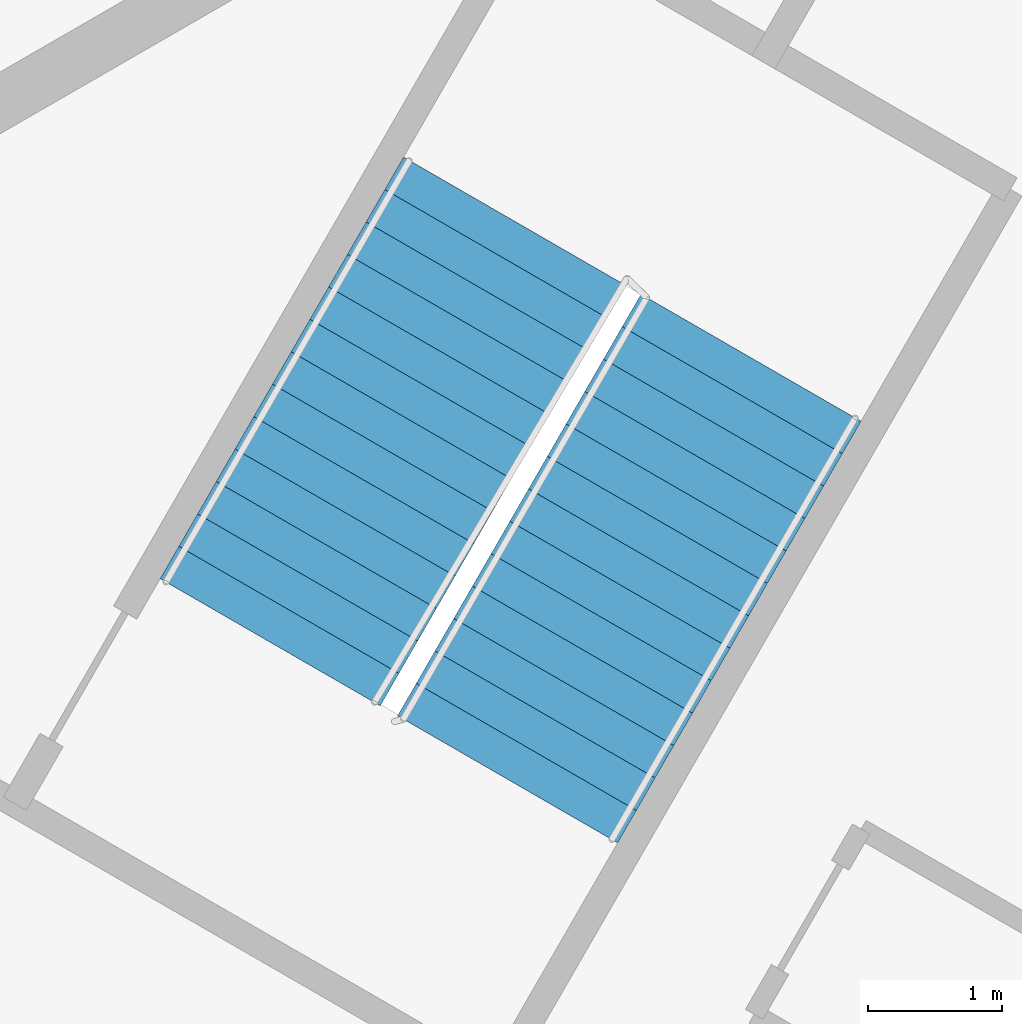
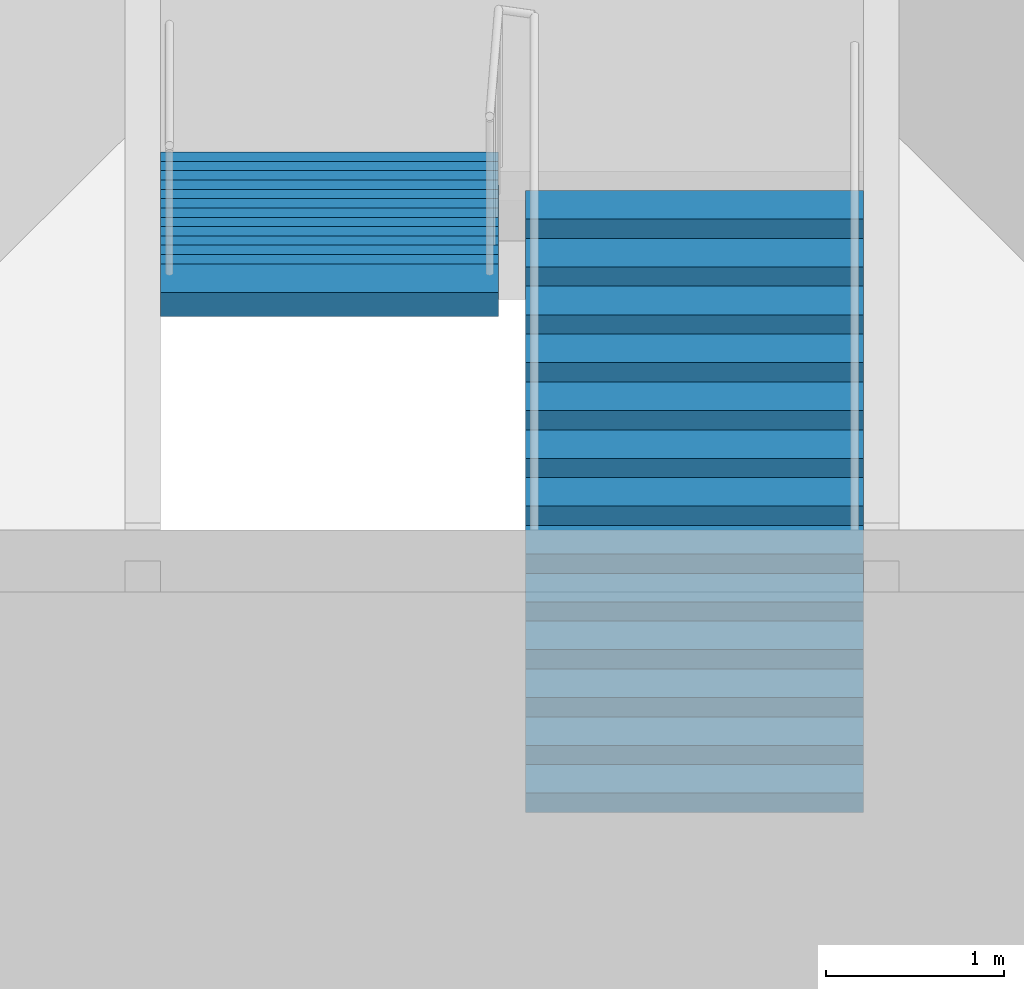
# One storey, part 6 of 9: 2 stair flights, 1 element without a shape of its own.
"""IFC4 building model written with IfcOpenShell, lengths in metres."""

from ifc_helpers import new_model, si_unit, direction, frame, origin, place, context, subcontext, project, spatial, polyline, outline, extrude, material, type_object, element, aggregate, save


model = new_model("IFC4")

# Units and contexts
model_context = context("Model", 3, precision=1e-05, world=origin(), true_north=direction((0.0, 1.0)))
body_context = subcontext(model_context, "Body", "Model", "MODEL_VIEW")
ifc_project = project(units=[si_unit("LENGTHUNIT", "METRE"), si_unit("AREAUNIT", "SQUARE_METRE"), si_unit("VOLUMEUNIT", "CUBIC_METRE"), si_unit("PLANEANGLEUNIT", "RADIAN"), si_unit("MASSUNIT", "GRAM", prefix="KILO")], contexts=[model_context])

# Site, building, storey
site_placement = place(None, origin())
site = spatial("IfcSite", under=ifc_project, at=site_placement, CompositionType="ELEMENT")
building_placement = place(site_placement, origin())
building = spatial("IfcBuilding", under=site, at=building_placement, Name="Jabali Bay Hotel Tower and Convention Centre", CompositionType="ELEMENT")
storey_placement = place(building_placement, frame((0.0, 0.0, 273.800048828125)))
storey = spatial("IfcBuildingStorey", under=building, at=storey_placement, Name="L67", CompositionType="ELEMENT", Elevation=273.800048828125)

# Stair, stair flights
ifc_material = material(Name="Concrete C40", Category="concrete")
stair_type = type_object("IfcStairType", Name="Exit stair 1900", PredefinedType="HALF_TURN_STAIR", material=ifc_material)
stair_placement = place(storey_placement, origin())
stair = element("IfcStair", 1, at=stair_placement, inside=storey, type_object=stair_type, Name="L67 Exit Stair 2", PredefinedType="HALF_TURN_STAIR")
stair_flight_type = type_object("IfcStairFlightType", Name="Stair flight concrete 150", PredefinedType="STRAIGHT", material=ifc_material)
stair_flight_1_placement = place(storey_placement, frame((85.177734375, 95.578369140625, 0.0), z_axis=(0.0, 0.0, 1.0), x_axis=(0.5, 0.866025403784, 0.0)))
stair_flight_1 = element("IfcStairFlight", 2, at=stair_flight_1_placement, type_object=stair_flight_type, Name="ST2 flight 1", NumberOfRisers=14, NumberOfTreads=13, PredefinedType="STRAIGHT", RiserHeight=0.132142857, TreadLength=0.28, context=body_context, shape_type="SweptSolid", body=[
    extrude(outline(polyline([(0.0, 0.0), (0.0, 0.132080078125), (0.280029296875, 0.132080078125), (0.280029296875, 0.264404296875), (0.56005859375, 0.264404296875), (0.56005859375, 0.396484375), (0.840087890625, 0.396484375), (0.840087890625, 0.528564453125), (1.1201171875, 0.528564453125), (1.1201171875, 0.66064453125), (1.39990234375, 0.66064453125), (1.39990234375, 0.79296875), (1.679931640625, 0.79296875), (1.679931640625, 0.925048828125), (1.9599609375, 0.925048828125), (1.9599609375, 1.05712890625), (2.239990234375, 1.05712890625), (2.239990234375, 1.189208984375), (2.52001953125, 1.189208984375), (2.52001953125, 1.321533203125), (2.800048828125, 1.321533203125), (2.800048828125, 1.45361328125), (3.080078125, 1.45361328125), (3.080078125, 1.585693359375), (3.360107421875, 1.585693359375), (3.360107421875, 1.7177734375), (3.639892578125, 1.7177734375), (3.639892578125, 1.85009765625), (3.639892578125, 1.552001953125), (0.351318359375, 0.0), (0.0, 0.0)])), frame((0.0, 0.949951171875, 0.0), z_axis=(0.0, -1.0, 0.0), x_axis=(1.0, 0.0, 0.0)), (0.0, 0.0, 1.0), 1.89990234375),
])
stair_flight_2_placement = place(storey_placement, frame((85.222412109375, 99.755615234375, 1.849853515625), z_axis=(0.0, 0.0, 1.0), x_axis=(-0.5, -0.866025403784, 0.0)))
stair_flight_2 = element("IfcStairFlight", 3, at=stair_flight_2_placement, type_object=stair_flight_type, Name="ST2 flight 2", NumberOfRisers=14, NumberOfTreads=13, PredefinedType="STRAIGHT", RiserHeight=0.132142857, TreadLength=0.28, context=body_context, shape_type="SweptSolid", body=[
    extrude(outline(polyline([(0.0, 0.0), (0.0, 0.132080078125), (0.280029296875, 0.132080078125), (0.280029296875, 0.264404296875), (0.56005859375, 0.264404296875), (0.56005859375, 0.396484375), (0.840087890625, 0.396484375), (0.840087890625, 0.528564453125), (1.1201171875, 0.528564453125), (1.1201171875, 0.66064453125), (1.39990234375, 0.66064453125), (1.39990234375, 0.79296875), (1.679931640625, 0.79296875), (1.679931640625, 0.925048828125), (1.9599609375, 0.925048828125), (1.9599609375, 1.05712890625), (2.239990234375, 1.05712890625), (2.239990234375, 1.189208984375), (2.52001953125, 1.189208984375), (2.52001953125, 1.321533203125), (2.800048828125, 1.321533203125), (2.800048828125, 1.45361328125), (3.080078125, 1.45361328125), (3.080078125, 1.585693359375), (3.360107421875, 1.585693359375), (3.360107421875, 1.7177734375), (3.639892578125, 1.7177734375), (3.639892578125, 1.85009765625), (3.639892578125, 1.552001953125), (0.351318359375, 0.0), (0.0, 0.0)])), frame((0.0, 0.949951171875, 0.0), z_axis=(0.0, -1.0, 0.0), x_axis=(1.0, 0.0, 0.0)), (0.0, 0.0, 1.0), 1.89990234375),
])
aggregate(stair, [stair_flight_1, stair_flight_2])

save(model, "model.ifc")
